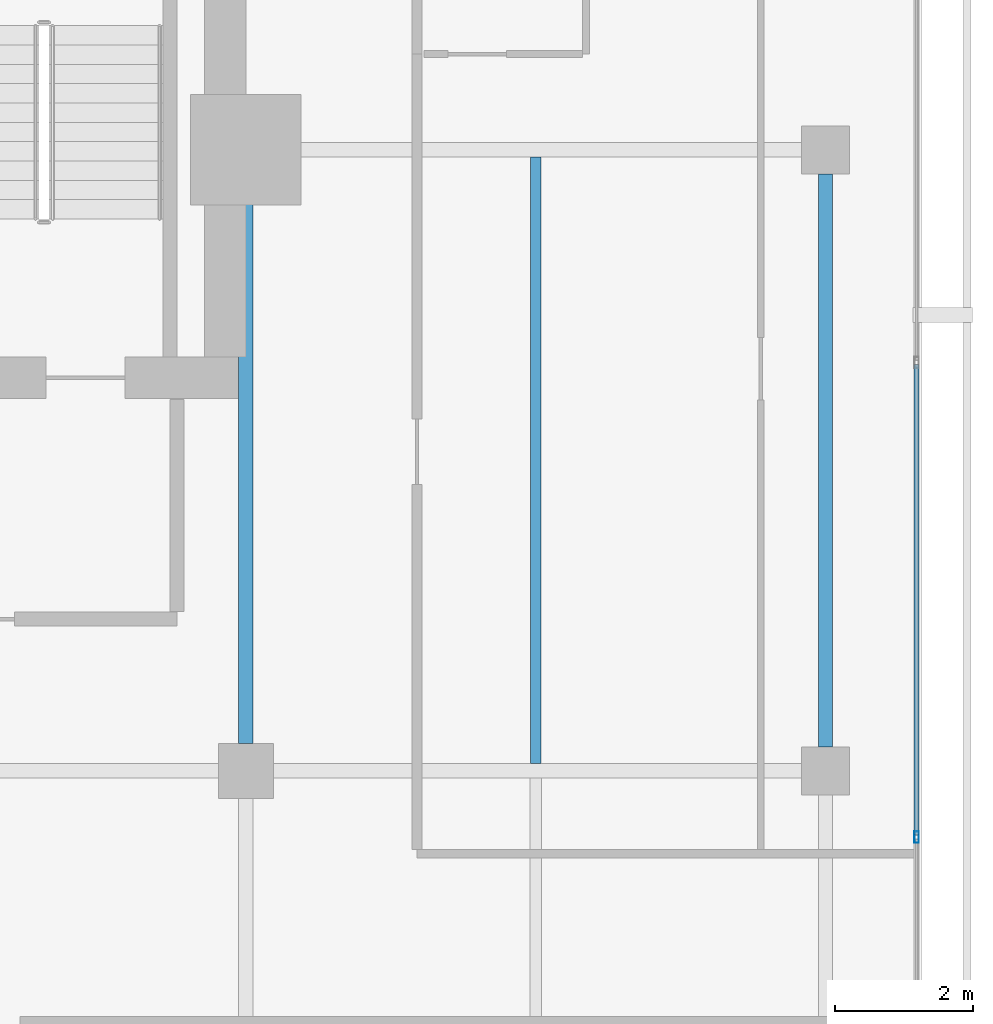
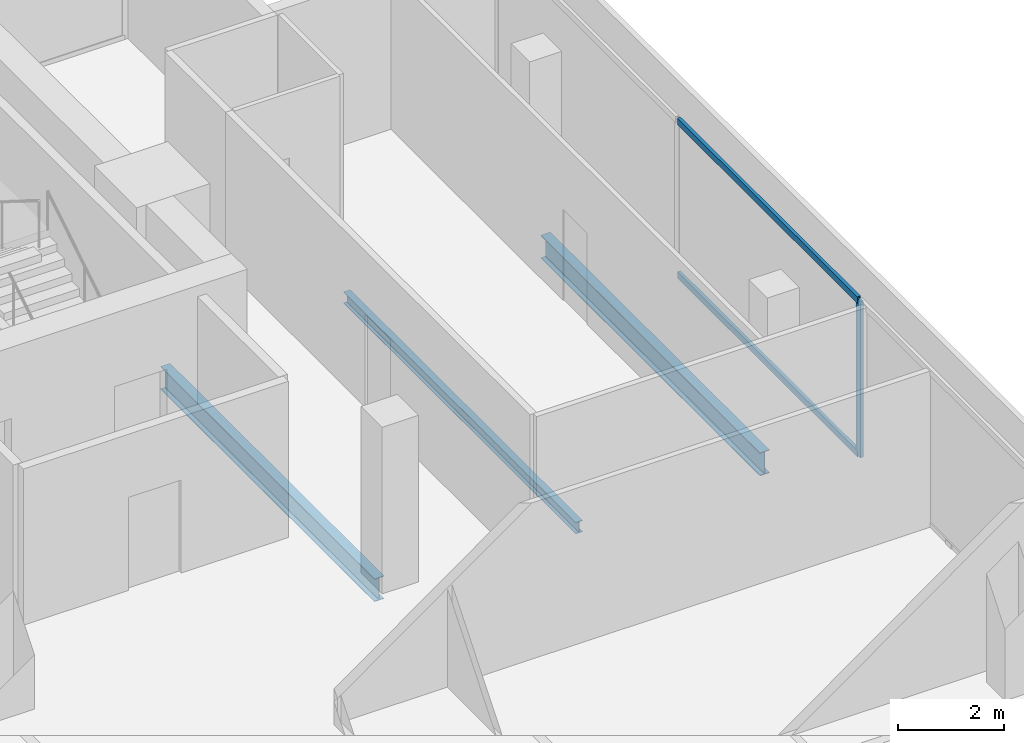
# One storey, part 15 of 25: 3 beams, 3 members, 1 element without a shape of its own.
"""IFC4 building model written with IfcOpenShell, lengths in metres."""

from ifc_helpers import new_model, si_unit, direction, frame, origin, origin_2d, place, context, subcontext, project, spatial, hollow_rectangle, i_section, extrude, material, layer, layer_set, material_profile, profile_set, type_object, element, aggregate, save


model = new_model("IFC4")

# Units and contexts
model_context = context("Model", 3, precision=1e-05, world=origin(), true_north=direction((0.0, 1.0)))
body_context = subcontext(model_context, "Body", "Model", "MODEL_VIEW")
ifc_project = project(units=[si_unit("LENGTHUNIT", "METRE"), si_unit("AREAUNIT", "SQUARE_METRE"), si_unit("VOLUMEUNIT", "CUBIC_METRE"), si_unit("PLANEANGLEUNIT", "RADIAN"), si_unit("MASSUNIT", "GRAM", prefix="KILO")], contexts=[model_context])

# Site, building, storey
site_placement = place(None, origin())
site = spatial("IfcSite", under=ifc_project, at=site_placement, CompositionType="ELEMENT")
building_placement = place(site_placement, origin())
building = spatial("IfcBuilding", under=site, at=building_placement, Name="Maruvema Waterfront Hotel and Observation Tower", CompositionType="ELEMENT")
storey_placement = place(building_placement, frame((0.0, 0.0, 274.050048828125)))
storey = spatial("IfcBuildingStorey", under=building, at=storey_placement, Name="L67", CompositionType="ELEMENT", Elevation=274.050048828125)

# Curtain wall, members
ifc_material_1 = material(Name="Anodised bronze aluminium and solar-control low-E IGU", Category="aluminium")
ifc_layer = layer(ifc_material_1, 0.159912109375, Name="Zone 3 Champagne Inner Thermal Curtain Wall System CW-04")
ifc_layer_set = layer_set([ifc_layer], Name="Anodised bronze aluminium and solar-control low-E IGU")
curtain_wall_type = type_object("IfcCurtainWallType", Name="Zone 3 Champagne Inner Thermal Curtain Wall System CW-04", PredefinedType="USERDEFINED", material=ifc_layer_set)
curtain_wall_placement = place(storey_placement, origin())
curtain_wall = element("IfcCurtainWall", 1, at=curtain_wall_placement, inside=storey, type_object=curtain_wall_type, Name="L67 Curtain Wall CW-L67-E", ObjectType="UNITISED CURTAIN WALL", PredefinedType="USERDEFINED")
ifc_material_2 = material(Name="Anodised architectural bronze aluminium", Category="aluminium")
ifc_material_profile_1 = material_profile(ifc_material_2, hollow_rectangle(XDim=0.070068359375, YDim=0.14990234375, WallThickness=0.00390625, at=origin_2d()), Name="ALU-T70x150")
ifc_profile_set_1 = profile_set([ifc_material_profile_1], Name="Anodised architectural bronze aluminium")
member_type_1 = type_object("IfcMemberType", Name="Curtain Wall Horizontal Transom ALU-T70x150", PredefinedType="USERDEFINED", material=ifc_profile_set_1)
member_1_placement = place(storey_placement, frame((60.1201171875, 35.070068359375, 0.030029296875), z_axis=(0.0, 1.0, 0.0), x_axis=(-1.0, 0.0, 0.0)))
member_1 = element("IfcMember", 2, at=member_1_placement, type_object=member_type_1, Name="CW-04 transom 4.1", ObjectType="TRANSOM", PredefinedType="USERDEFINED", context=body_context, shape_type="SweptSolid", body=[
    extrude(hollow_rectangle(XDim=0.070068359375, YDim=0.14990234375, WallThickness=0.00390625, at=origin_2d()), origin(), (0.0, 0.0, 1.0), 6.81982421875),
])
member_2_placement = place(storey_placement, frame((60.1201171875, 35.070068359375, 3.579833984375), z_axis=(0.0, 1.0, 0.0), x_axis=(-1.0, 0.0, 0.0)))
member_2 = element("IfcMember", 3, at=member_2_placement, type_object=member_type_1, Name="CW-04 transom 4.2", ObjectType="TRANSOM", PredefinedType="USERDEFINED", context=body_context, shape_type="SweptSolid", body=[
    extrude(hollow_rectangle(XDim=0.070068359375, YDim=0.14990234375, WallThickness=0.00390625, at=origin_2d()), origin(), (0.0, 0.0, 1.0), 6.81982421875),
])
ifc_material_3 = material(Name="Anodised architectural bronze aluminium", Category="aluminium")
ifc_material_profile_2 = material_profile(ifc_material_3, hollow_rectangle(XDim=0.06494140625, YDim=0.1650390625, WallThickness=0.00390625, at=origin_2d()), Name="ALU-M65x165")
ifc_profile_set_2 = profile_set([ifc_material_profile_2], Name="Anodised architectural bronze aluminium")
member_type_2 = type_object("IfcMemberType", Name="Curtain Wall Primary Mullion ALU-M65x165", PredefinedType="MULLION", material=ifc_profile_set_2)
member_3_placement = place(storey_placement, frame((60.1201171875, 35.0400390625, 0.0), z_axis=(0.0, 0.0, 1.0), x_axis=(-1.0, 0.0, 0.0)))
member_3 = element("IfcMember", 4, at=member_3_placement, type_object=member_type_2, Name="CW-04 mullion 4", PredefinedType="MULLION", context=body_context, shape_type="SweptSolid", body=[
    extrude(hollow_rectangle(XDim=0.06494140625, YDim=0.1650390625, WallThickness=0.00390625, at=origin_2d()), origin(), (0.0, 0.0, 1.0), 3.60986328125),
])
aggregate(curtain_wall, [member_3, member_1, member_2])

# Beams
ifc_material_4 = material(Name="Steel ASTM A572 Grade 50", Category="steel")
ifc_material_profile_3 = material_profile(ifc_material_4, i_section(OverallWidth=0.208984375, OverallDepth=0.532958984375, WebThickness=0.01025390625, FlangeThickness=0.015625, FilletRadius=0.014892578125, at=origin_2d()), Name="W530x92.0")
ifc_profile_set_3 = profile_set([ifc_material_profile_3], Name="Steel ASTM A572 Grade 50")
beam_type_1 = type_object("IfcBeamType", Name="Primary Floor Girder W530x92.0", PredefinedType="BEAM", material=ifc_profile_set_3)
beam_1_placement = place(storey_placement, frame((50.39990234375, 36.39990234375, -0.506591796875), z_axis=(0.0, 1.0, 0.0), x_axis=(-1.0, 0.0, 0.0)))
element("IfcBeam", 5, at=beam_1_placement, inside=storey, type_object=beam_type_1, Name="L67 Floor Girder NS-15", PredefinedType="BEAM", context=body_context, shape_type="SweptSolid", body=[
    extrude(i_section(OverallWidth=0.208984375, OverallDepth=0.532958984375, WebThickness=0.01025390625, FlangeThickness=0.015625, FilletRadius=0.014892578125, at=origin_2d()), origin(), (0.0, 0.0, 1.0), 8.10009765625),
])
beam_2_placement = place(storey_placement, frame((58.800048828125, 36.35009765625, -0.506591796875), z_axis=(0.0, 1.0, 0.0), x_axis=(-1.0, 0.0, 0.0)))
element("IfcBeam", 6, at=beam_2_placement, inside=storey, type_object=beam_type_1, Name="L67 Floor Girder NS-18", PredefinedType="BEAM", context=body_context, shape_type="SweptSolid", body=[
    extrude(i_section(OverallWidth=0.208984375, OverallDepth=0.532958984375, WebThickness=0.01025390625, FlangeThickness=0.015625, FilletRadius=0.014892578125, at=origin_2d()), origin(), (0.0, 0.0, 1.0), 8.2998046875),
])
ifc_material_5 = material(Name="Steel ASTM A572 Grade 50", Category="steel")
ifc_material_profile_4 = material_profile(ifc_material_5, i_section(OverallWidth=0.14794921875, OverallDepth=0.26611328125, WebThickness=0.007568359375, FlangeThickness=0.012939453125, FilletRadius=0.012939453125, at=origin_2d()), Name="W250x44.8")
ifc_profile_set_4 = profile_set([ifc_material_profile_4], Name="Steel ASTM A572 Grade 50")
beam_type_2 = type_object("IfcBeamType", Name="Secondary Floor Joist W250x44.8", PredefinedType="JOIST", material=ifc_profile_set_4)
beam_3_placement = place(storey_placement, frame((54.60009765625, 36.1044921875, -0.373046875), z_axis=(0.0, 1.0, 0.0), x_axis=(-1.0, 0.0, 0.0)))
element("IfcBeam", 7, at=beam_3_placement, inside=storey, type_object=beam_type_2, Name="L67 Secondary Floor Joist JS-09", PredefinedType="JOIST", context=body_context, shape_type="SweptSolid", body=[
    extrude(i_section(OverallWidth=0.14794921875, OverallDepth=0.26611328125, WebThickness=0.007568359375, FlangeThickness=0.012939453125, FilletRadius=0.012939453125, at=origin_2d()), origin(), (0.0, 0.0, 1.0), 8.791015625),
])

save(model, "model.ifc")
